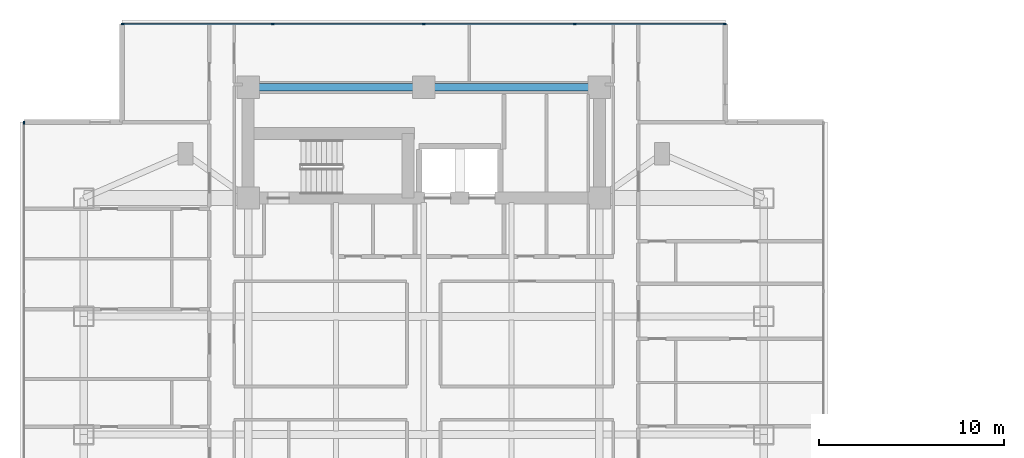
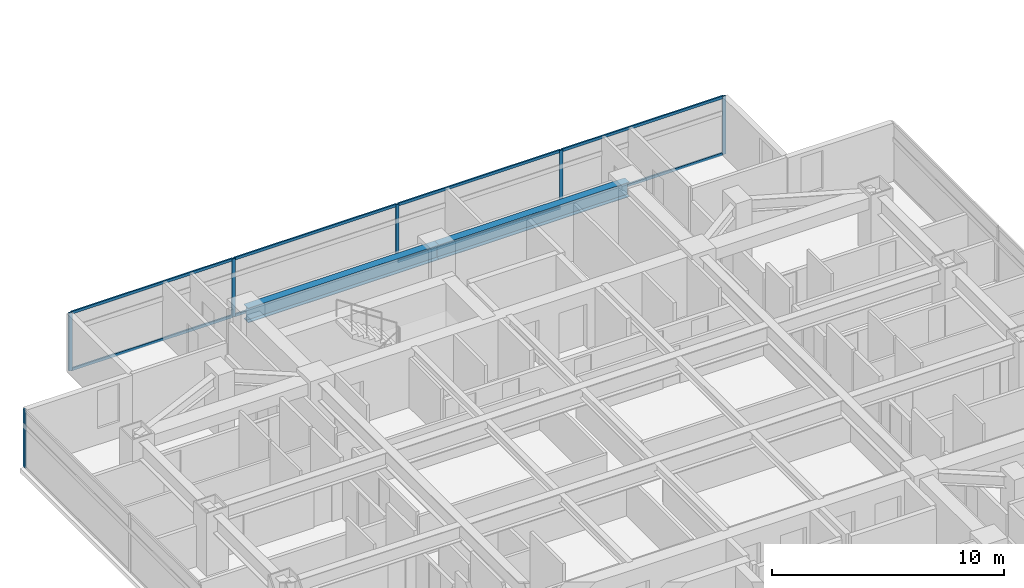
# One storey, part 6 of 25: 14 members, 2 beams, 2 elements without a shape of their own.
"""IFC4 building model written with IfcOpenShell, lengths in metres."""

from ifc_helpers import new_model, si_unit, direction, frame, origin, origin_2d, place, context, subcontext, project, spatial, rectangle, i_section, extrude, material, material_profile, profile_set, type_object, element, aggregate, save


model = new_model("IFC4")

# Units and contexts
model_context = context("Model", 3, precision=1e-05, world=origin(), true_north=direction((0.0, 1.0)))
body_context = subcontext(model_context, "Body", "Model", "MODEL_VIEW")
ifc_project = project(units=[si_unit("LENGTHUNIT", "METRE"), si_unit("AREAUNIT", "SQUARE_METRE"), si_unit("VOLUMEUNIT", "CUBIC_METRE"), si_unit("PLANEANGLEUNIT", "RADIAN"), si_unit("MASSUNIT", "GRAM", prefix="KILO")], contexts=[model_context])

# Site, building, storey
site_placement = place(None, origin())
site = spatial("IfcSite", under=ifc_project, at=site_placement, CompositionType="ELEMENT")
building_placement = place(site_placement, origin())
building = spatial("IfcBuilding", under=site, at=building_placement, Name="Mirazonda Arch Towers", CompositionType="ELEMENT")
storey_placement = place(building_placement, frame((0.0, 0.0, 104.89990234375)))
storey = spatial("IfcBuildingStorey", under=building, at=storey_placement, Name="L29", CompositionType="ELEMENT", Elevation=104.89990234375)

# Beams
ifc_material_1 = material(Name="Steel ASTM A992 Grade 50", Category="steel")
ifc_material_profile_1 = material_profile(ifc_material_1, i_section(OverallWidth=0.381103515625, OverallDepth=0.77294921875, WebThickness=0.0166015625, FlangeThickness=0.027099609375, at=origin_2d()), Name="W30X173")
ifc_profile_set_1 = profile_set([ifc_material_profile_1], Name="Steel ASTM A992 Grade 50")
beam_type = type_object("IfcBeamType", Name="BM-INT-W30X173", PredefinedType="USERDEFINED", material=ifc_profile_set_1)
for number, where, z_axis, x_axis, name in (
    (1, (11.0, 43.60009765625, 2.693603515625), (1.0, 0.0, 0.0), (0.0, 1.0, 0.0), "L29 Floor Beam BM-T1-L29-CN1"),
    (2, (20.5, 43.60009765625, 2.693603515625), (1.0, 0.0, 0.0), (0.0, 1.0, 0.0), "L29 Floor Beam BM-T1-L29-CN2"),
):
    element("IfcBeam", number, at=place(storey_placement, frame(where, z_axis=z_axis, x_axis=x_axis)), inside=storey, type_object=beam_type, Name=name, ObjectType="GIRDER", PredefinedType="USERDEFINED", context=body_context, shape_type="SweptSolid", body=[
        extrude(i_section(OverallWidth=0.381103515625, OverallDepth=0.77294921875, WebThickness=0.0166015625, FlangeThickness=0.027099609375, at=origin_2d()), origin(), (0.0, 0.0, 1.0), 9.5),
    ])

# Curtain wall, members
ifc_material_2 = material(Name="Anodised Aluminium and Low-E Glass", Category="aluminium")
curtain_wall_type = type_object("IfcCurtainWallType", Name="CW-HTL-UNIT", PredefinedType="NOTDEFINED", material=ifc_material_2)
curtain_wall_1_placement = place(storey_placement, origin())
curtain_wall_1 = element("IfcCurtainWall", 3, at=curtain_wall_1_placement, inside=storey, type_object=curtain_wall_type, Name="L29 T1 N Facade CW-L29-T1-N", PredefinedType="NOTDEFINED")
ifc_material_3 = material(Name="Anodised Aluminium Alloy", Category="aluminium")
ifc_material_profile_2 = material_profile(ifc_material_3, rectangle(XDim=0.074951171875, YDim=0.1650390625, at=origin_2d()), Name="ALU-MULL-75x165")
ifc_profile_set_2 = profile_set([ifc_material_profile_2], Name="Anodised Aluminium Alloy")
member_type_1 = type_object("IfcMemberType", Name="MULL-CW-HTL-UNIT", PredefinedType="MULLION", material=ifc_profile_set_2)
member_1_placement = place(storey_placement, frame((4.21240234375, 47.02001953125, 0.0), z_axis=(0.0, 0.0, 1.0), x_axis=(0.0, 1.0, 0.0)))
member_1 = element("IfcMember", 4, at=member_1_placement, type_object=member_type_1, Name="CW-112 mullion 1", PredefinedType="MULLION", context=body_context, shape_type="SweptSolid", body=[
    extrude(rectangle(XDim=0.074951171875, YDim=0.1650390625, at=origin_2d()), origin(), (0.0, 0.0, 1.0), 3.06005859375),
])
member_2_placement = place(storey_placement, frame((12.33740234375, 47.02001953125, 0.0), z_axis=(0.0, 0.0, 1.0), x_axis=(0.0, 1.0, 0.0)))
member_2 = element("IfcMember", 5, at=member_2_placement, type_object=member_type_1, Name="CW-112 mullion 2", PredefinedType="MULLION", context=body_context, shape_type="SweptSolid", body=[
    extrude(rectangle(XDim=0.074951171875, YDim=0.1650390625, at=origin_2d()), origin(), (0.0, 0.0, 1.0), 3.06005859375),
])
member_3_placement = place(storey_placement, frame((20.5, 47.02001953125, 0.0), z_axis=(0.0, 0.0, 1.0), x_axis=(0.0, 1.0, 0.0)))
member_3 = element("IfcMember", 6, at=member_3_placement, type_object=member_type_1, Name="CW-112 mullion 3", PredefinedType="MULLION", context=body_context, shape_type="SweptSolid", body=[
    extrude(rectangle(XDim=0.074951171875, YDim=0.1650390625, at=origin_2d()), origin(), (0.0, 0.0, 1.0), 3.06005859375),
])
member_4_placement = place(storey_placement, frame((28.66259765625, 47.02001953125, 0.0), z_axis=(0.0, 0.0, 1.0), x_axis=(0.0, 1.0, 0.0)))
member_4 = element("IfcMember", 7, at=member_4_placement, type_object=member_type_1, Name="CW-112 mullion 4", PredefinedType="MULLION", context=body_context, shape_type="SweptSolid", body=[
    extrude(rectangle(XDim=0.074951171875, YDim=0.1650390625, at=origin_2d()), origin(), (0.0, 0.0, 1.0), 3.06005859375),
])
member_5_placement = place(storey_placement, frame((36.78759765625, 47.02001953125, 0.0), z_axis=(0.0, 0.0, 1.0), x_axis=(0.0, 1.0, 0.0)))
member_5 = element("IfcMember", 8, at=member_5_placement, type_object=member_type_1, Name="CW-112 mullion 5", PredefinedType="MULLION", context=body_context, shape_type="SweptSolid", body=[
    extrude(rectangle(XDim=0.074951171875, YDim=0.1650390625, at=origin_2d()), origin(), (0.0, 0.0, 1.0), 3.06005859375),
])

# Curtain wall, member
curtain_wall_2_placement = place(storey_placement, origin())
curtain_wall_2 = element("IfcCurtainWall", 9, at=curtain_wall_2_placement, inside=storey, type_object=curtain_wall_type, Name="L29 T1 W Facade CW-L29-T1-W", PredefinedType="NOTDEFINED")
member_6_placement = place(storey_placement, frame((-1.1298828125, 41.677490234375, 0.0), z_axis=(0.0, 0.0, 1.0), x_axis=(1.0, 0.0, 0.0)))
member_6 = element("IfcMember", 10, at=member_6_placement, type_object=member_type_1, Name="CW-112 mullion 1", PredefinedType="MULLION", context=body_context, shape_type="SweptSolid", body=[
    extrude(rectangle(XDim=0.074951171875, YDim=0.1650390625, at=origin_2d()), origin(), (0.0, 0.0, 1.0), 3.06005859375),
])
aggregate(curtain_wall_2, [member_6])

# Member
ifc_material_profile_3 = material_profile(ifc_material_3, rectangle(XDim=0.074951171875, YDim=0.14501953125, at=origin_2d()), Name="ALU-TRAN-75x145")
ifc_profile_set_3 = profile_set([ifc_material_profile_3], Name="Anodised Aluminium Alloy")
member_type_2 = type_object("IfcMemberType", Name="TRAN-CW-HTL-UNIT", PredefinedType="USERDEFINED", material=ifc_profile_set_3)
member_7_placement = place(storey_placement, frame((4.25, 47.02001953125, 0.03759765625), z_axis=(1.0, 0.0, 0.0), x_axis=(0.0, 1.0, 0.0)))
member_7 = element("IfcMember", 11, at=member_7_placement, type_object=member_type_2, Name="CW-112 transom 1.1", ObjectType="TRANSOM", PredefinedType="USERDEFINED", context=body_context, shape_type="SweptSolid", body=[
    extrude(rectangle(XDim=0.074951171875, YDim=0.14501953125, at=origin_2d()), origin(), (0.0, 0.0, 1.0), 8.050048828125),
])

member_8_placement = place(storey_placement, frame((4.25, 47.02001953125, 3.022705078125), z_axis=(1.0, 0.0, 0.0), x_axis=(0.0, 1.0, 0.0)))
member_8 = element("IfcMember", 12, at=member_8_placement, type_object=member_type_2, Name="CW-112 transom 1.2", ObjectType="TRANSOM", PredefinedType="USERDEFINED", context=body_context, shape_type="SweptSolid", body=[
    extrude(rectangle(XDim=0.074951171875, YDim=0.14501953125, at=origin_2d()), origin(), (0.0, 0.0, 1.0), 8.050048828125),
])

member_9_placement = place(storey_placement, frame((12.375, 47.02001953125, 0.03759765625), z_axis=(1.0, 0.0, 0.0), x_axis=(0.0, 1.0, 0.0)))
member_9 = element("IfcMember", 13, at=member_9_placement, type_object=member_type_2, Name="CW-112 transom 2.1", ObjectType="TRANSOM", PredefinedType="USERDEFINED", context=body_context, shape_type="SweptSolid", body=[
    extrude(rectangle(XDim=0.074951171875, YDim=0.14501953125, at=origin_2d()), origin(), (0.0, 0.0, 1.0), 8.08740234375),
])

member_10_placement = place(storey_placement, frame((12.375, 47.02001953125, 3.022705078125), z_axis=(1.0, 0.0, 0.0), x_axis=(0.0, 1.0, 0.0)))
member_10 = element("IfcMember", 14, at=member_10_placement, type_object=member_type_2, Name="CW-112 transom 2.2", ObjectType="TRANSOM", PredefinedType="USERDEFINED", context=body_context, shape_type="SweptSolid", body=[
    extrude(rectangle(XDim=0.074951171875, YDim=0.14501953125, at=origin_2d()), origin(), (0.0, 0.0, 1.0), 8.08740234375),
])

member_11_placement = place(storey_placement, frame((20.53759765625, 47.02001953125, 0.03759765625), z_axis=(1.0, 0.0, 0.0), x_axis=(0.0, 1.0, 0.0)))
member_11 = element("IfcMember", 15, at=member_11_placement, type_object=member_type_2, Name="CW-112 transom 3.1", ObjectType="TRANSOM", PredefinedType="USERDEFINED", context=body_context, shape_type="SweptSolid", body=[
    extrude(rectangle(XDim=0.074951171875, YDim=0.14501953125, at=origin_2d()), origin(), (0.0, 0.0, 1.0), 8.08740234375),
])

member_12_placement = place(storey_placement, frame((20.53759765625, 47.02001953125, 3.022705078125), z_axis=(1.0, 0.0, 0.0), x_axis=(0.0, 1.0, 0.0)))
member_12 = element("IfcMember", 16, at=member_12_placement, type_object=member_type_2, Name="CW-112 transom 3.2", ObjectType="TRANSOM", PredefinedType="USERDEFINED", context=body_context, shape_type="SweptSolid", body=[
    extrude(rectangle(XDim=0.074951171875, YDim=0.14501953125, at=origin_2d()), origin(), (0.0, 0.0, 1.0), 8.08740234375),
])

member_13_placement = place(storey_placement, frame((28.699951171875, 47.02001953125, 0.03759765625), z_axis=(1.0, 0.0, 0.0), x_axis=(0.0, 1.0, 0.0)))
member_13 = element("IfcMember", 17, at=member_13_placement, type_object=member_type_2, Name="CW-112 transom 4.1", ObjectType="TRANSOM", PredefinedType="USERDEFINED", context=body_context, shape_type="SweptSolid", body=[
    extrude(rectangle(XDim=0.074951171875, YDim=0.14501953125, at=origin_2d()), origin(), (0.0, 0.0, 1.0), 8.050048828125),
])

member_14_placement = place(storey_placement, frame((28.699951171875, 47.02001953125, 3.022705078125), z_axis=(1.0, 0.0, 0.0), x_axis=(0.0, 1.0, 0.0)))
member_14 = element("IfcMember", 18, at=member_14_placement, type_object=member_type_2, Name="CW-112 transom 4.2", ObjectType="TRANSOM", PredefinedType="USERDEFINED", context=body_context, shape_type="SweptSolid", body=[
    extrude(rectangle(XDim=0.074951171875, YDim=0.14501953125, at=origin_2d()), origin(), (0.0, 0.0, 1.0), 8.050048828125),
])

aggregate(curtain_wall_1, [member_1, member_2, member_3, member_4, member_5, member_7, member_8, member_9, member_10, member_11, member_12, member_13, member_14])

save(model, "model.ifc")
